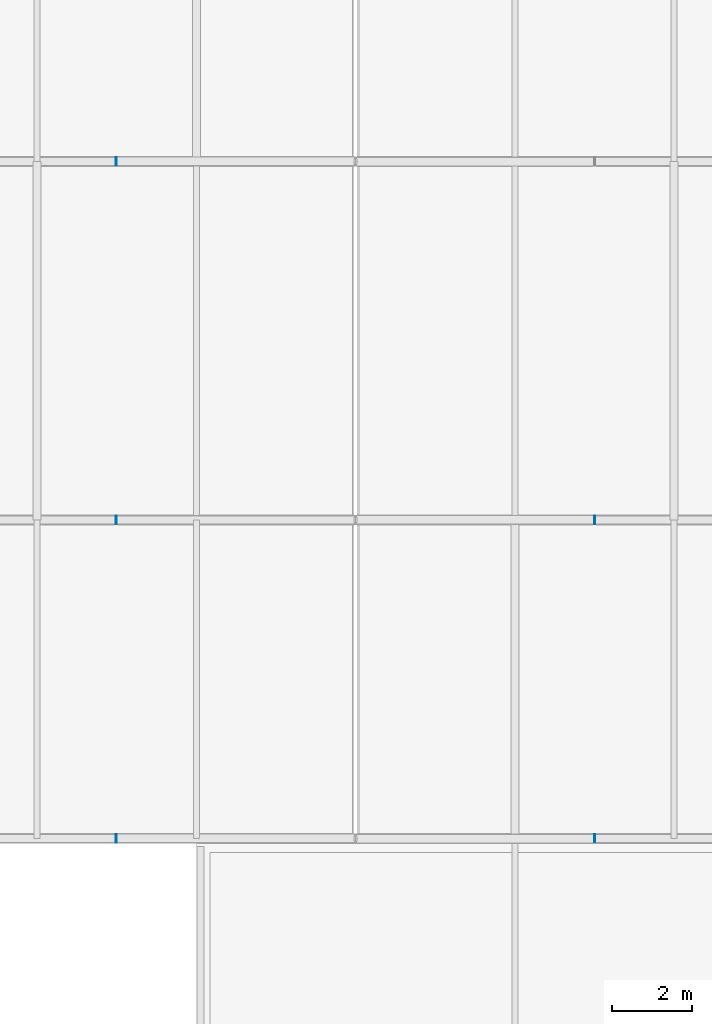
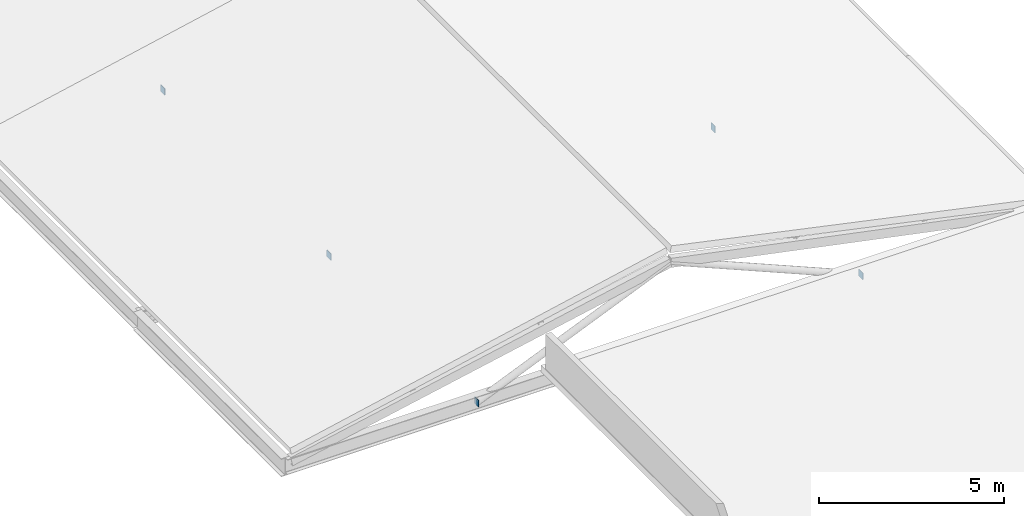
# One storey, part 24 of 38: 5 plates.
"""IFC4 building model written with IfcOpenShell, lengths in metres."""

from ifc_helpers import new_model, si_unit, derived_unit, direction, frame, origin, origin_2d, place, context, subcontext, project, spatial, rectangle, extrude, material, layer, layer_set, type_object, element, save


model = new_model("IFC4")

# Units and contexts
model_context = context("Model", 3, precision=1e-05, world=origin(), true_north=direction((0.0, 1.0)))
body_context = subcontext(model_context, "Body", "Model", "MODEL_VIEW")
ifc_project = project(units=[si_unit("LENGTHUNIT", "METRE"), si_unit("AREAUNIT", "SQUARE_METRE"), si_unit("VOLUMEUNIT", "CUBIC_METRE"), si_unit("PLANEANGLEUNIT", "RADIAN"), si_unit("MASSUNIT", "GRAM", prefix="KILO"), derived_unit("THERMALTRANSMITTANCEUNIT", [(si_unit("POWERUNIT", "WATT"), 1), (si_unit("LENGTHUNIT", "METRE"), -2), (si_unit("THERMODYNAMICTEMPERATUREUNIT", "KELVIN"), -1)])], contexts=[model_context])

# Site, building, storey
site_placement = place(None, origin())
site = spatial("IfcSite", under=ifc_project, at=site_placement, CompositionType="ELEMENT")
building_placement = place(site_placement, origin())
building = spatial("IfcBuilding", under=site, at=building_placement, Name="Nallur Shell Playhouse", CompositionType="ELEMENT")
storey_placement = place(building_placement, frame((0.0, 0.0, 24.300048828125)))
storey = spatial("IfcBuildingStorey", under=building, at=storey_placement, Name="L06", CompositionType="ELEMENT", Elevation=24.300048828125)

# Plates
ifc_material = material(Name="Steel E350", Category="steel")
ifc_layer = layer(ifc_material, 0.02001953125)
ifc_layer_set = layer_set([ifc_layer], Name="Steel E350")
plate_type = type_object("IfcPlateType", Name="PT-ENDCAP-20", PredefinedType="SHEET", material=ifc_layer_set)
for number, where, z_axis, x_axis, name in (
    (1, (21.990966796875, 24.0, -0.61474609375), (0.0, 0.0, 1.0), (1.0, 0.0, 0.0), "Hollow end cap EC-TRBB-24-1"),
    (2, (34.010009765625, 24.0, -0.61083984375), (0.0, 0.0, 1.0), (1.0, 0.0, 0.0), "Hollow end cap EC-TRBB-24-2"),
    (3, (21.990966796875, 32.0, -0.61474609375), (0.0, 0.0, 1.0), (1.0, 0.0, 0.0), "Hollow end cap EC-TRBB-32-1"),
    (4, (34.010009765625, 32.0, -0.61083984375), (0.0, 0.0, 1.0), (1.0, 0.0, 0.0), "Hollow end cap EC-TRBB-32-2"),
    (5, (21.990966796875, 41.0, -0.61474609375), (0.0, 0.0, 1.0), (1.0, 0.0, 0.0), "Hollow end cap EC-TRBB-41-1"),
):
    element("IfcPlate", number, at=place(storey_placement, frame(where, z_axis=z_axis, x_axis=x_axis)), inside=storey, type_object=plate_type, Name=name, PredefinedType="SHEET", context=body_context, shape_type="SweptSolid", body=[
        extrude(rectangle(XDim=0.02001953125, YDim=0.219970703125, at=origin_2d()), origin(), (0.0, 0.0, 1.0), 0.219970703125),
    ])

save(model, "model.ifc")
